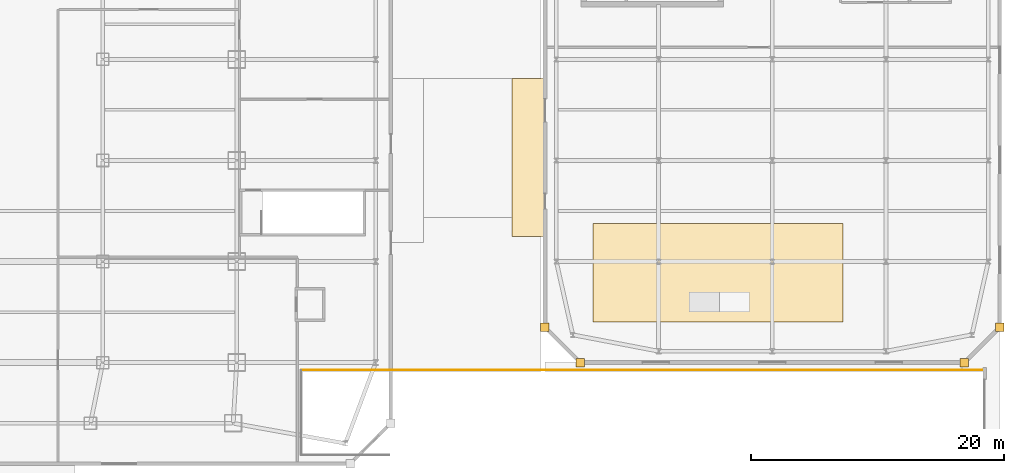
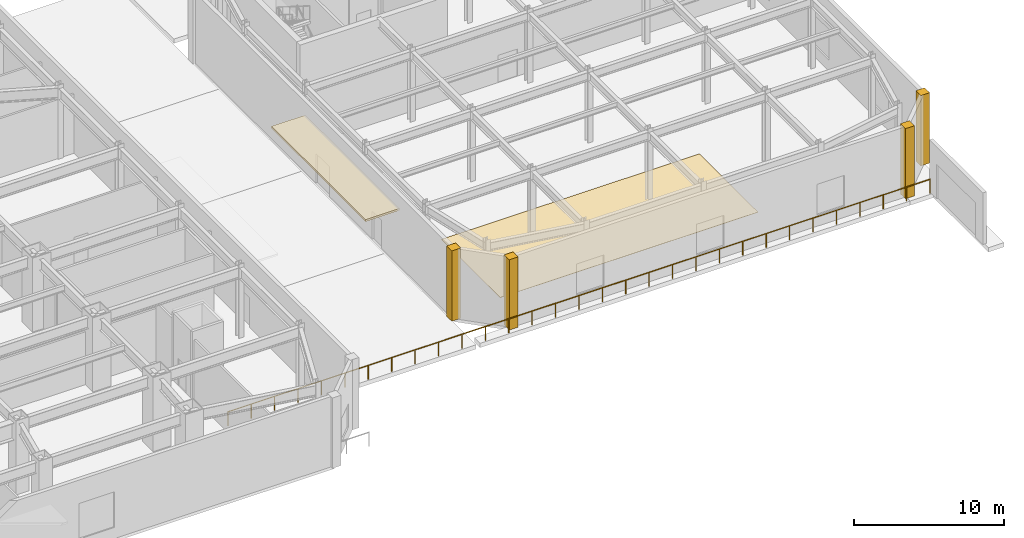
# One storey, part 20 of 23: 6 coverings, 1 railing.
"""IFC4 building model written with IfcOpenShell, lengths in metres."""

from ifc_helpers import new_model, si_unit, direction, frame, origin, origin_2d, place, context, subcontext, project, spatial, polyline, circle, outline, extrude, material, layer, layer_set, type_object, element, save


model = new_model("IFC4")

# Units and contexts
model_context = context("Model", 3, precision=1e-05, world=origin(), true_north=direction((0.0, 1.0)))
body_context = subcontext(model_context, "Body", "Model", "MODEL_VIEW")
ifc_project = project(units=[si_unit("LENGTHUNIT", "METRE"), si_unit("AREAUNIT", "SQUARE_METRE"), si_unit("VOLUMEUNIT", "CUBIC_METRE"), si_unit("PLANEANGLEUNIT", "RADIAN"), si_unit("MASSUNIT", "GRAM", prefix="KILO")], contexts=[model_context])

# Site, building, storey
site_placement = place(None, origin())
site = spatial("IfcSite", under=ifc_project, at=site_placement, CompositionType="ELEMENT")
building_placement = place(site_placement, origin())
building = spatial("IfcBuilding", under=site, at=building_placement, Name="Saevonmaru Cultural Tower", CompositionType="ELEMENT")
storey_placement = place(building_placement, origin())
storey = spatial("IfcBuildingStorey", under=building, at=storey_placement, Name="L00", CompositionType="ELEMENT", Elevation=0.0)

# Coverings
ifc_material_1 = material(Name="Champagne Bronze Anodised Aluminium", Category="aluminium")
ifc_layer_1 = layer(ifc_material_1, 0.159912109375, Name="Champagne Bronze Anodised Aluminium")
ifc_layer_set_1 = layer_set([ifc_layer_1], Name="Champagne Bronze Anodised Aluminium")
covering_type_1 = type_object("IfcCoveringType", Name="CV-CANOPY-BRONZE", PredefinedType="CLADDING", material=ifc_layer_set_1)
covering_1_placement = place(storey_placement, frame((0.0, 0.0, 4.300048828125)))
element("IfcCovering", 1, at=covering_1_placement, inside=storey, type_object=covering_type_1, Name="Central Public Library Plaza Marquee Canopy", PredefinedType="CLADDING", context=body_context, shape_type="SweptSolid", body=[
    extrude(outline(polyline([(69.60009765625, 18.0), (72.199951171875, 18.0), (72.199951171875, 30.5), (69.60009765625, 30.5), (69.60009765625, 18.0)])), origin(), (0.0, 0.0, 1.0), 0.159912109375),
])
ifc_material_2 = material(Name="Satin Bronze Anodised Aluminium", Category="aluminium")
ifc_layer_2 = layer(ifc_material_2, 0.679931640625, Name="Satin Bronze Anodised Aluminium")
ifc_layer_set_2 = layer_set([ifc_layer_2], Name="Satin Bronze Anodised Aluminium")
covering_type_2 = type_object("IfcCoveringType", Name="CV-CORNER-CLAD", PredefinedType="CLADDING", material=ifc_layer_set_2)
covering_2_placement = place(storey_placement, origin())
element("IfcCovering", 2, at=covering_2_placement, inside=storey, type_object=covering_type_2, Name="L00 Library Bronze Corner Cladding Pier 1", PredefinedType="CLADDING", context=body_context, shape_type="SweptSolid", body=[
    extrude(outline(polyline([(71.860107421875, 10.4599609375), (72.5400390625, 10.4599609375), (72.5400390625, 11.139892578125), (71.860107421875, 11.139892578125), (71.860107421875, 10.4599609375)])), origin(), (0.0, 0.0, 1.0), 5.699951171875),
])
covering_3_placement = place(storey_placement, origin())
element("IfcCovering", 3, at=covering_3_placement, inside=storey, type_object=covering_type_2, Name="L00 Library Bronze Corner Cladding Pier 2", PredefinedType="CLADDING", context=body_context, shape_type="SweptSolid", body=[
    extrude(outline(polyline([(74.659912109375, 7.659912109375), (75.340087890625, 7.659912109375), (75.340087890625, 8.340087890625), (74.659912109375, 8.340087890625), (74.659912109375, 7.659912109375)])), origin(), (0.0, 0.0, 1.0), 5.699951171875),
])
covering_4_placement = place(storey_placement, origin())
element("IfcCovering", 4, at=covering_4_placement, inside=storey, type_object=covering_type_2, Name="L00 Library Bronze Corner Cladding Pier 3", PredefinedType="CLADDING", context=body_context, shape_type="SweptSolid", body=[
    extrude(outline(polyline([(105.06005859375, 7.659912109375), (105.739990234375, 7.659912109375), (105.739990234375, 8.340087890625), (105.06005859375, 8.340087890625), (105.06005859375, 7.659912109375)])), origin(), (0.0, 0.0, 1.0), 5.699951171875),
])
covering_5_placement = place(storey_placement, origin())
element("IfcCovering", 5, at=covering_5_placement, inside=storey, type_object=covering_type_2, Name="L00 Library Bronze Corner Cladding Pier 4", PredefinedType="CLADDING", context=body_context, shape_type="SweptSolid", body=[
    extrude(outline(polyline([(107.860107421875, 10.4599609375), (108.5400390625, 10.4599609375), (108.5400390625, 11.139892578125), (107.860107421875, 11.139892578125), (107.860107421875, 10.4599609375)])), origin(), (0.0, 0.0, 1.0), 5.699951171875),
])
ifc_material_3 = material(Name="Engineered Acoustic Oak Flooring", Category="wood")
ifc_layer_3 = layer(ifc_material_3, 0.02392578125, Name="Engineered Acoustic Oak Flooring")
ifc_layer_set_3 = layer_set([ifc_layer_3], Name="Engineered Acoustic Oak Flooring")
covering_type_3 = type_object("IfcCoveringType", Name="CV-FLR-OAK", PredefinedType="FLOORING", material=ifc_layer_set_3)
covering_6_placement = place(storey_placement, origin())
element("IfcCovering", 6, at=covering_6_placement, inside=storey, type_object=covering_type_3, Name="L00 Library Reading Hall Acoustic Oak Flooring", PredefinedType="FLOORING", context=body_context, shape_type="SweptSolid", body=[
    extrude(outline(polyline([(76.0, 11.199951171875), (95.800048828125, 11.199951171875), (95.800048828125, 19.0), (76.0, 19.0), (76.0, 11.199951171875)])), origin(), (0.0, 0.0, 1.0), 0.02392578125),
])

# Railing
railing_type = type_object("IfcRailingType", Name="RL-BALUSTRADE-1150", PredefinedType="BALUSTRADE", material=ifc_material_2)
railing_placement = place(storey_placement, frame((52.919921875, 7.419921875, 0.0)))
element("IfcRailing", 7, at=railing_placement, inside=storey, type_object=railing_type, Name="L00 Vehicle Ramp VR-1 Well Guardrail Seg 3", PredefinedType="BALUSTRADE", context=body_context, shape_type="SweptSolid", body=[
    extrude(circle(Radius=0.02392578125, at=origin_2d()), frame((0.0, 0.0, 1.1259765625), z_axis=(1.0, 0.0, 0.0), x_axis=(0.0, 1.0, 0.0)), (0.0, 0.0, 1.0), 53.89013671875),
    extrude(circle(Radius=0.02099609375, at=origin_2d()), origin(), (0.0, 0.0, 1.0), 1.101806640625),
    extrude(circle(Radius=0.02099609375, at=origin_2d()), frame((1.79638671875, 0.0, 0.0)), (0.0, 0.0, 1.0), 1.101806640625),
    extrude(circle(Radius=0.02099609375, at=origin_2d()), frame((3.5927734375, 0.0, 0.0)), (0.0, 0.0, 1.0), 1.101806640625),
    extrude(circle(Radius=0.02099609375, at=origin_2d()), frame((5.388916015625, 0.0, 0.0)), (0.0, 0.0, 1.0), 1.101806640625),
    extrude(circle(Radius=0.02099609375, at=origin_2d()), frame((7.185302734375, 0.0, 0.0)), (0.0, 0.0, 1.0), 1.101806640625),
    extrude(circle(Radius=0.02099609375, at=origin_2d()), frame((8.981689453125, 0.0, 0.0)), (0.0, 0.0, 1.0), 1.101806640625),
    extrude(circle(Radius=0.02099609375, at=origin_2d()), frame((10.778076171875, 0.0, 0.0)), (0.0, 0.0, 1.0), 1.101806640625),
    extrude(circle(Radius=0.02099609375, at=origin_2d()), frame((12.574462890625, 0.0, 0.0)), (0.0, 0.0, 1.0), 1.101806640625),
    extrude(circle(Radius=0.02099609375, at=origin_2d()), frame((14.37060546875, 0.0, 0.0)), (0.0, 0.0, 1.0), 1.101806640625),
    extrude(circle(Radius=0.02099609375, at=origin_2d()), frame((16.1669921875, 0.0, 0.0)), (0.0, 0.0, 1.0), 1.101806640625),
    extrude(circle(Radius=0.02099609375, at=origin_2d()), frame((17.96337890625, 0.0, 0.0)), (0.0, 0.0, 1.0), 1.101806640625),
    extrude(circle(Radius=0.02099609375, at=origin_2d()), frame((19.759765625, 0.0, 0.0)), (0.0, 0.0, 1.0), 1.101806640625),
    extrude(circle(Radius=0.02099609375, at=origin_2d()), frame((21.55615234375, 0.0, 0.0)), (0.0, 0.0, 1.0), 1.101806640625),
    extrude(circle(Radius=0.02099609375, at=origin_2d()), frame((23.352294921875, 0.0, 0.0)), (0.0, 0.0, 1.0), 1.101806640625),
    extrude(circle(Radius=0.02099609375, at=origin_2d()), frame((25.148681640625, 0.0, 0.0)), (0.0, 0.0, 1.0), 1.101806640625),
    extrude(circle(Radius=0.02099609375, at=origin_2d()), frame((26.945068359375, 0.0, 0.0)), (0.0, 0.0, 1.0), 1.101806640625),
    extrude(circle(Radius=0.02099609375, at=origin_2d()), frame((28.741455078125, 0.0, 0.0)), (0.0, 0.0, 1.0), 1.101806640625),
    extrude(circle(Radius=0.02099609375, at=origin_2d()), frame((30.537841796875, 0.0, 0.0)), (0.0, 0.0, 1.0), 1.101806640625),
    extrude(circle(Radius=0.02099609375, at=origin_2d()), frame((32.333984375, 0.0, 0.0)), (0.0, 0.0, 1.0), 1.101806640625),
    extrude(circle(Radius=0.02099609375, at=origin_2d()), frame((34.13037109375, 0.0, 0.0)), (0.0, 0.0, 1.0), 1.101806640625),
    extrude(circle(Radius=0.02099609375, at=origin_2d()), frame((35.9267578125, 0.0, 0.0)), (0.0, 0.0, 1.0), 1.101806640625),
    extrude(circle(Radius=0.02099609375, at=origin_2d()), frame((37.72314453125, 0.0, 0.0)), (0.0, 0.0, 1.0), 1.101806640625),
    extrude(circle(Radius=0.02099609375, at=origin_2d()), frame((39.51953125, 0.0, 0.0)), (0.0, 0.0, 1.0), 1.101806640625),
    extrude(circle(Radius=0.02099609375, at=origin_2d()), frame((41.315673828125, 0.0, 0.0)), (0.0, 0.0, 1.0), 1.101806640625),
    extrude(circle(Radius=0.02099609375, at=origin_2d()), frame((43.112060546875, 0.0, 0.0)), (0.0, 0.0, 1.0), 1.101806640625),
    extrude(circle(Radius=0.02099609375, at=origin_2d()), frame((44.908447265625, 0.0, 0.0)), (0.0, 0.0, 1.0), 1.101806640625),
    extrude(circle(Radius=0.02099609375, at=origin_2d()), frame((46.704833984375, 0.0, 0.0)), (0.0, 0.0, 1.0), 1.101806640625),
    extrude(circle(Radius=0.02099609375, at=origin_2d()), frame((48.501220703125, 0.0, 0.0)), (0.0, 0.0, 1.0), 1.101806640625),
    extrude(circle(Radius=0.02099609375, at=origin_2d()), frame((50.29736328125, 0.0, 0.0)), (0.0, 0.0, 1.0), 1.101806640625),
    extrude(circle(Radius=0.02099609375, at=origin_2d()), frame((52.09375, 0.0, 0.0)), (0.0, 0.0, 1.0), 1.101806640625),
    extrude(circle(Radius=0.02099609375, at=origin_2d()), frame((53.89013671875, 0.0, 0.0)), (0.0, 0.0, 1.0), 1.101806640625),
])

save(model, "model.ifc")
